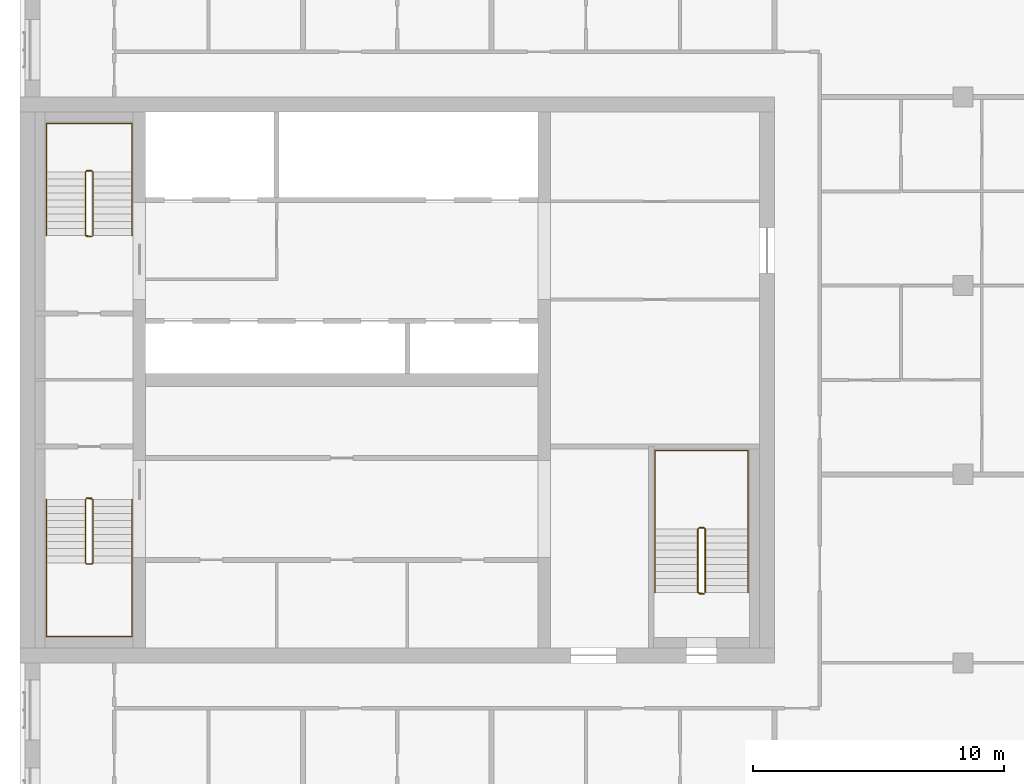
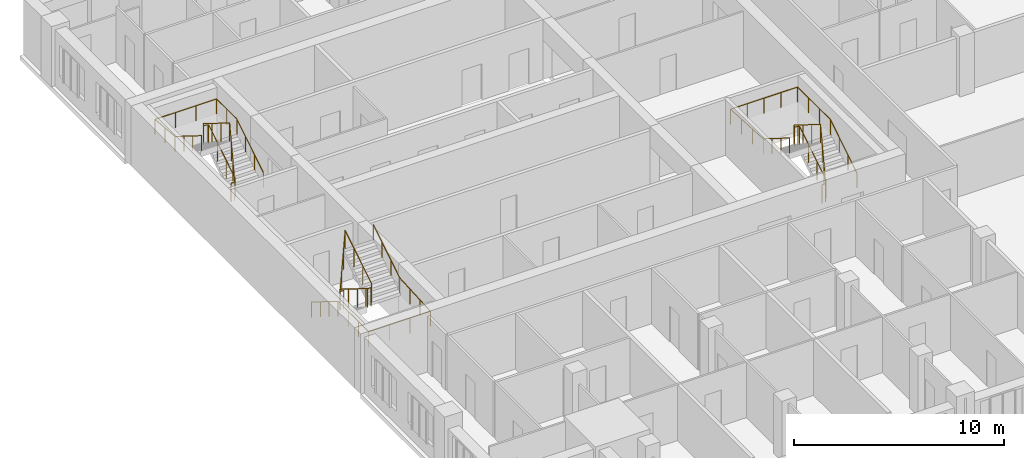
# One storey, part 10 of 10: 6 railings.
"""IFC4 building model written with IfcOpenShell, lengths in metres."""

from ifc_helpers import new_model, si_unit, direction, frame, origin, origin_2d, place, context, subcontext, project, spatial, circle, extrude, material, type_object, element, save


model = new_model("IFC4")

# Units and contexts
model_context = context("Model", 3, precision=1e-05, world=origin(), true_north=direction((0.0, 1.0)))
body_context = subcontext(model_context, "Body", "Model", "MODEL_VIEW")
ifc_project = project(units=[si_unit("LENGTHUNIT", "METRE"), si_unit("AREAUNIT", "SQUARE_METRE"), si_unit("VOLUMEUNIT", "CUBIC_METRE"), si_unit("PLANEANGLEUNIT", "RADIAN"), si_unit("MASSUNIT", "GRAM", prefix="KILO")], contexts=[model_context])

# Site, building, storey
site_placement = place(None, origin())
site = spatial("IfcSite", under=ifc_project, at=site_placement, CompositionType="ELEMENT")
building_placement = place(site_placement, origin())
building = spatial("IfcBuilding", under=site, at=building_placement, Name="Tamorin Gate", CompositionType="ELEMENT")
storey_placement = place(building_placement, frame((0.0, 0.0, 237.199951171875)))
storey = spatial("IfcBuildingStorey", under=building, at=storey_placement, Name="L59", CompositionType="ELEMENT", Elevation=237.199951171875)

# Railings
ifc_material_1 = material(Name="Painted steel balustrade", Category="steel")
railing_type_1 = type_object("IfcRailingType", Name="Stair guard 1100", PredefinedType="GUARDRAIL", material=ifc_material_1)
railing_1_placement = place(storey_placement, frame((32.60009765625, 66.5, 0.175048828125)))
element("IfcRailing", 1, at=railing_1_placement, inside=storey, type_object=railing_type_1, Name="L59 ST1 stair guard 1", PredefinedType="GUARDRAIL", context=body_context, shape_type="SweptSolid", body=[
    extrude(circle(Radius=0.02392578125, at=origin_2d()), frame((0.0, 0.0, 1.076171875), z_axis=(0.0, -0.848007534815, 0.529984170421), x_axis=(1.0, 0.0, 0.0)), (0.0, 0.0, 1.0), 2.9716796875),
    extrude(circle(Radius=0.02392578125, at=origin_2d()), frame((0.0, -2.52001953125, 2.65087890625), z_axis=(0.705375805398, -0.708833529934, 0.0), x_axis=(0.708833529934, 0.705375805398, 0.0)), (0.0, 0.0, 1.0), 0.070556640625),
    extrude(circle(Radius=0.02392578125, at=origin_2d()), frame((0.0498046875, -2.570068359375, 2.65087890625), z_axis=(1.0, 0.0, 0.0), x_axis=(0.0, 1.0, 0.0)), (0.0, 0.0, 1.0), 0.2001953125),
    extrude(circle(Radius=0.02392578125, at=origin_2d()), frame((0.25, -2.570068359375, 2.65087890625), z_axis=(0.263862480399, 0.265155923931, 0.927399011991), x_axis=(-0.708833529934, 0.705375805398, 0.0)), (0.0, 0.0, 1.0), 0.188720703125),
    extrude(circle(Radius=0.02392578125, at=origin_2d()), frame((0.2998046875, -2.52001953125, 2.826171875), z_axis=(0.0, 0.848007534815, 0.529984170421), x_axis=(-1.0, 0.0, 0.0)), (0.0, 0.0, 1.0), 2.9716796875),
    extrude(circle(Radius=0.02392578125, at=origin_2d()), frame((0.2998046875, 0.0, 4.40087890625), z_axis=(-0.071239803756, 0.014261874775, -0.997357252587), x_axis=(-0.196300278283, -0.98054382908, 0.0)), (0.0, 0.0, 1.0), 3.50927734375),
    extrude(circle(Radius=0.02392578125, at=origin_2d()), frame((0.0498046875, 0.050048828125, 0.90087890625), z_axis=(1.0, 0.0, 0.0), x_axis=(0.0, 1.0, 0.0)), (0.0, 0.0, 1.0), 0.2001953125),
    extrude(circle(Radius=0.02099609375, at=origin_2d()), origin(), (0.0, 0.0, 1.0), 1.052001953125),
    extrude(circle(Radius=0.02099609375, at=origin_2d()), frame((0.0, -0.840087890625, 0.52490234375)), (0.0, 0.0, 1.0), 1.052001953125),
    extrude(circle(Radius=0.02099609375, at=origin_2d()), frame((0.0, -1.679931640625, 1.050048828125)), (0.0, 0.0, 1.0), 1.052001953125),
    extrude(circle(Radius=0.02099609375, at=origin_2d()), frame((0.0, -2.52001953125, 1.574951171875)), (0.0, 0.0, 1.0), 1.052001953125),
    extrude(circle(Radius=0.02099609375, at=origin_2d()), frame((0.0498046875, -2.570068359375, 1.574951171875)), (0.0, 0.0, 1.0), 1.052001953125),
    extrude(circle(Radius=0.02099609375, at=origin_2d()), frame((0.25, -2.570068359375, 1.574951171875)), (0.0, 0.0, 1.0), 1.052001953125),
    extrude(circle(Radius=0.02099609375, at=origin_2d()), frame((0.2998046875, -2.52001953125, 1.75)), (0.0, 0.0, 1.0), 1.052001953125),
    extrude(circle(Radius=0.02099609375, at=origin_2d()), frame((0.2998046875, -1.679931640625, 2.27490234375)), (0.0, 0.0, 1.0), 1.052001953125),
    extrude(circle(Radius=0.02099609375, at=origin_2d()), frame((0.2998046875, -0.840087890625, 2.800048828125)), (0.0, 0.0, 1.0), 1.052001953125),
    extrude(circle(Radius=0.02099609375, at=origin_2d()), frame((0.2998046875, 0.0, 3.324951171875)), (0.0, 0.0, 1.0), 1.052001953125),
    extrude(circle(Radius=0.02099609375, at=origin_2d()), frame((0.216552734375, 0.0166015625, 2.158203125)), (0.0, 0.0, 1.0), 1.052001953125),
    extrude(circle(Radius=0.02099609375, at=origin_2d()), frame((0.133056640625, 0.033447265625, 0.99169921875)), (0.0, 0.0, 1.0), 1.052001953125),
    extrude(circle(Radius=0.02099609375, at=origin_2d()), frame((0.0498046875, 0.050048828125, -0.175048828125)), (0.0, 0.0, 1.0), 1.052001953125),
    extrude(circle(Radius=0.02099609375, at=origin_2d()), frame((0.25, 0.050048828125, -0.175048828125)), (0.0, 0.0, 1.0), 1.052001953125),
])
railing_2_placement = place(storey_placement, frame((32.89990234375, 77.0, 0.175048828125)))
element("IfcRailing", 2, at=railing_2_placement, inside=storey, type_object=railing_type_1, Name="L59 ST2 stair guard 1", PredefinedType="GUARDRAIL", context=body_context, shape_type="SweptSolid", body=[
    extrude(circle(Radius=0.02392578125, at=origin_2d()), frame((0.0, 0.0, 1.076171875), z_axis=(0.0, 0.848007534815, 0.529984170421), x_axis=(-1.0, 0.0, 0.0)), (0.0, 0.0, 1.0), 2.9716796875),
    extrude(circle(Radius=0.02392578125, at=origin_2d()), frame((0.0, 2.52001953125, 2.65087890625), z_axis=(-0.705375805398, 0.708833529934, 0.0), x_axis=(-0.708833529934, -0.705375805398, 0.0)), (0.0, 0.0, 1.0), 0.070556640625),
    extrude(circle(Radius=0.02392578125, at=origin_2d()), frame((-0.0498046875, 2.570068359375, 2.65087890625), z_axis=(-1.0, 0.0, 0.0), x_axis=(0.0, -1.0, 0.0)), (0.0, 0.0, 1.0), 0.2001953125),
    extrude(circle(Radius=0.02392578125, at=origin_2d()), frame((-0.25, 2.570068359375, 2.65087890625), z_axis=(-0.263862480399, -0.265155923931, 0.927399011991), x_axis=(0.708833529934, -0.705375805398, 0.0)), (0.0, 0.0, 1.0), 0.188720703125),
    extrude(circle(Radius=0.02392578125, at=origin_2d()), frame((-0.2998046875, 2.52001953125, 2.826171875), z_axis=(0.0, -0.848007534815, 0.529984170421), x_axis=(1.0, 0.0, 0.0)), (0.0, 0.0, 1.0), 2.9716796875),
    extrude(circle(Radius=0.02392578125, at=origin_2d()), frame((-0.2998046875, 0.0, 4.40087890625), z_axis=(0.071239803756, -0.014261874775, -0.997357252587), x_axis=(0.196300278283, 0.98054382908, 0.0)), (0.0, 0.0, 1.0), 3.50927734375),
    extrude(circle(Radius=0.02392578125, at=origin_2d()), frame((-0.0498046875, -0.050048828125, 0.90087890625), z_axis=(-1.0, 0.0, 0.0), x_axis=(0.0, -1.0, 0.0)), (0.0, 0.0, 1.0), 0.2001953125),
    extrude(circle(Radius=0.02099609375, at=origin_2d()), origin(), (0.0, 0.0, 1.0), 1.052001953125),
    extrude(circle(Radius=0.02099609375, at=origin_2d()), frame((0.0, 0.840087890625, 0.52490234375)), (0.0, 0.0, 1.0), 1.052001953125),
    extrude(circle(Radius=0.02099609375, at=origin_2d()), frame((0.0, 1.679931640625, 1.050048828125)), (0.0, 0.0, 1.0), 1.052001953125),
    extrude(circle(Radius=0.02099609375, at=origin_2d()), frame((0.0, 2.52001953125, 1.574951171875)), (0.0, 0.0, 1.0), 1.052001953125),
    extrude(circle(Radius=0.02099609375, at=origin_2d()), frame((-0.0498046875, 2.570068359375, 1.574951171875)), (0.0, 0.0, 1.0), 1.052001953125),
    extrude(circle(Radius=0.02099609375, at=origin_2d()), frame((-0.25, 2.570068359375, 1.574951171875)), (0.0, 0.0, 1.0), 1.052001953125),
    extrude(circle(Radius=0.02099609375, at=origin_2d()), frame((-0.2998046875, 2.52001953125, 1.75)), (0.0, 0.0, 1.0), 1.052001953125),
    extrude(circle(Radius=0.02099609375, at=origin_2d()), frame((-0.2998046875, 1.679931640625, 2.27490234375)), (0.0, 0.0, 1.0), 1.052001953125),
    extrude(circle(Radius=0.02099609375, at=origin_2d()), frame((-0.2998046875, 0.840087890625, 2.800048828125)), (0.0, 0.0, 1.0), 1.052001953125),
    extrude(circle(Radius=0.02099609375, at=origin_2d()), frame((-0.2998046875, 0.0, 3.324951171875)), (0.0, 0.0, 1.0), 1.052001953125),
    extrude(circle(Radius=0.02099609375, at=origin_2d()), frame((-0.216552734375, -0.0166015625, 2.158203125)), (0.0, 0.0, 1.0), 1.052001953125),
    extrude(circle(Radius=0.02099609375, at=origin_2d()), frame((-0.133056640625, -0.033447265625, 0.99169921875)), (0.0, 0.0, 1.0), 1.052001953125),
    extrude(circle(Radius=0.02099609375, at=origin_2d()), frame((-0.0498046875, -0.050048828125, -0.175048828125)), (0.0, 0.0, 1.0), 1.052001953125),
    extrude(circle(Radius=0.02099609375, at=origin_2d()), frame((-0.25, -0.050048828125, -0.175048828125)), (0.0, 0.0, 1.0), 1.052001953125),
])
railing_3_placement = place(storey_placement, frame((57.25, 62.800048828125, 0.175048828125)))
element("IfcRailing", 3, at=railing_3_placement, inside=storey, type_object=railing_type_1, Name="L59 ST3 stair guard 1", PredefinedType="GUARDRAIL", context=body_context, shape_type="SweptSolid", body=[
    extrude(circle(Radius=0.02392578125, at=origin_2d()), frame((0.0, 0.0, 1.076171875), z_axis=(0.0, 0.848007534815, 0.529984170421), x_axis=(-1.0, 0.0, 0.0)), (0.0, 0.0, 1.0), 2.9716796875),
    extrude(circle(Radius=0.02392578125, at=origin_2d()), frame((0.0, 2.52001953125, 2.65087890625), z_axis=(-0.707106781187, 0.707106781187, 0.0), x_axis=(-0.707106781187, -0.707106781187, 0.0)), (0.0, 0.0, 1.0), 0.07080078125),
    extrude(circle(Radius=0.02392578125, at=origin_2d()), frame((-0.050048828125, 2.570068359375, 2.65087890625), z_axis=(-1.0, 0.0, 0.0), x_axis=(0.0, -1.0, 0.0)), (0.0, 0.0, 1.0), 0.199951171875),
    extrude(circle(Radius=0.02392578125, at=origin_2d()), frame((-0.25, 2.570068359375, 2.65087890625), z_axis=(-0.265065253269, -0.265065253269, 0.927081885822), x_axis=(0.707106781187, -0.707106781187, 0.0)), (0.0, 0.0, 1.0), 0.188720703125),
    extrude(circle(Radius=0.02392578125, at=origin_2d()), frame((-0.300048828125, 2.52001953125, 2.826171875), z_axis=(0.0, -0.848007534815, 0.529984170421), x_axis=(1.0, 0.0, 0.0)), (0.0, 0.0, 1.0), 2.9716796875),
    extrude(circle(Radius=0.02392578125, at=origin_2d()), frame((-0.300048828125, 0.0, 4.40087890625), z_axis=(0.071239803756, -0.014261874775, -0.997357252587), x_axis=(0.196300278283, 0.98054382908, 0.0)), (0.0, 0.0, 1.0), 3.50927734375),
    extrude(circle(Radius=0.02392578125, at=origin_2d()), frame((-0.050048828125, -0.050048828125, 0.90087890625), z_axis=(-1.0, 0.0, 0.0), x_axis=(0.0, -1.0, 0.0)), (0.0, 0.0, 1.0), 0.199951171875),
    extrude(circle(Radius=0.02099609375, at=origin_2d()), origin(), (0.0, 0.0, 1.0), 1.052001953125),
    extrude(circle(Radius=0.02099609375, at=origin_2d()), frame((0.0, 0.840087890625, 0.52490234375)), (0.0, 0.0, 1.0), 1.052001953125),
    extrude(circle(Radius=0.02099609375, at=origin_2d()), frame((0.0, 1.679931640625, 1.050048828125)), (0.0, 0.0, 1.0), 1.052001953125),
    extrude(circle(Radius=0.02099609375, at=origin_2d()), frame((0.0, 2.52001953125, 1.574951171875)), (0.0, 0.0, 1.0), 1.052001953125),
    extrude(circle(Radius=0.02099609375, at=origin_2d()), frame((-0.050048828125, 2.570068359375, 1.574951171875)), (0.0, 0.0, 1.0), 1.052001953125),
    extrude(circle(Radius=0.02099609375, at=origin_2d()), frame((-0.25, 2.570068359375, 1.574951171875)), (0.0, 0.0, 1.0), 1.052001953125),
    extrude(circle(Radius=0.02099609375, at=origin_2d()), frame((-0.300048828125, 2.52001953125, 1.75)), (0.0, 0.0, 1.0), 1.052001953125),
    extrude(circle(Radius=0.02099609375, at=origin_2d()), frame((-0.300048828125, 1.679931640625, 2.27490234375)), (0.0, 0.0, 1.0), 1.052001953125),
    extrude(circle(Radius=0.02099609375, at=origin_2d()), frame((-0.300048828125, 0.840087890625, 2.800048828125)), (0.0, 0.0, 1.0), 1.052001953125),
    extrude(circle(Radius=0.02099609375, at=origin_2d()), frame((-0.300048828125, 0.0, 3.324951171875)), (0.0, 0.0, 1.0), 1.052001953125),
    extrude(circle(Radius=0.02099609375, at=origin_2d()), frame((-0.216796875, -0.0166015625, 2.158203125)), (0.0, 0.0, 1.0), 1.052001953125),
    extrude(circle(Radius=0.02099609375, at=origin_2d()), frame((-0.13330078125, -0.033447265625, 0.99169921875)), (0.0, 0.0, 1.0), 1.052001953125),
    extrude(circle(Radius=0.02099609375, at=origin_2d()), frame((-0.050048828125, -0.050048828125, -0.175048828125)), (0.0, 0.0, 1.0), 1.052001953125),
    extrude(circle(Radius=0.02099609375, at=origin_2d()), frame((-0.25, -0.050048828125, -0.175048828125)), (0.0, 0.0, 1.0), 1.052001953125),
])
ifc_material_2 = material(Name="Painted steel handrail", Category="steel")
railing_type_2 = type_object("IfcRailingType", Name="Stair handrail 900", PredefinedType="HANDRAIL", material=ifc_material_2)
railing_4_placement = place(storey_placement, frame((31.050048828125, 66.5, 0.175048828125)))
element("IfcRailing", 4, at=railing_4_placement, inside=storey, type_object=railing_type_2, Name="L59 ST1 stair handrail 1", PredefinedType="HANDRAIL", context=body_context, shape_type="SweptSolid", body=[
    extrude(circle(Radius=0.02392578125, at=origin_2d()), frame((0.0, 0.0, 0.8759765625), z_axis=(0.0, -0.848007534815, 0.529984170421), x_axis=(1.0, 0.0, 0.0)), (0.0, 0.0, 1.0), 2.9716796875),
    extrude(circle(Radius=0.02392578125, at=origin_2d()), frame((0.0, -2.52001953125, 2.45068359375), z_axis=(0.0, -1.0, 0.0), x_axis=(1.0, 0.0, 0.0)), (0.0, 0.0, 1.0), 2.929931640625),
    extrude(circle(Radius=0.02392578125, at=origin_2d()), frame((0.0, -5.449951171875, 2.45068359375), z_axis=(1.0, 0.0, 0.0), x_axis=(0.0, 1.0, 0.0)), (0.0, 0.0, 1.0), 3.39990234375),
    extrude(circle(Radius=0.02392578125, at=origin_2d()), frame((3.39990234375, -5.449951171875, 2.45068359375), z_axis=(0.0, 0.998220029962, 0.0596386769), x_axis=(-1.0, 0.0, 0.0)), (0.0, 0.0, 1.0), 2.93505859375),
    extrude(circle(Radius=0.02392578125, at=origin_2d()), frame((3.39990234375, -2.52001953125, 2.6259765625), z_axis=(0.0, 0.848007534815, 0.529984170421), x_axis=(-1.0, 0.0, 0.0)), (0.0, 0.0, 1.0), 2.9716796875),
    extrude(circle(Radius=0.02099609375, at=origin_2d()), origin(), (0.0, 0.0, 1.0), 0.851806640625),
    extrude(circle(Radius=0.02099609375, at=origin_2d()), frame((0.0, -0.840087890625, 0.52490234375)), (0.0, 0.0, 1.0), 0.851806640625),
    extrude(circle(Radius=0.02099609375, at=origin_2d()), frame((0.0, -1.679931640625, 1.050048828125)), (0.0, 0.0, 1.0), 0.851806640625),
    extrude(circle(Radius=0.02099609375, at=origin_2d()), frame((0.0, -2.52001953125, 1.574951171875)), (0.0, 0.0, 1.0), 0.851806640625),
    extrude(circle(Radius=0.02099609375, at=origin_2d()), frame((0.0, -3.49658203125, 1.574951171875)), (0.0, 0.0, 1.0), 0.851806640625),
    extrude(circle(Radius=0.02099609375, at=origin_2d()), frame((0.0, -4.473388671875, 1.574951171875)), (0.0, 0.0, 1.0), 0.851806640625),
    extrude(circle(Radius=0.02099609375, at=origin_2d()), frame((0.0, -5.449951171875, 1.574951171875)), (0.0, 0.0, 1.0), 0.851806640625),
    extrude(circle(Radius=0.02099609375, at=origin_2d()), frame((1.13330078125, -5.449951171875, 1.574951171875)), (0.0, 0.0, 1.0), 0.851806640625),
    extrude(circle(Radius=0.02099609375, at=origin_2d()), frame((2.2666015625, -5.449951171875, 1.574951171875)), (0.0, 0.0, 1.0), 0.851806640625),
    extrude(circle(Radius=0.02099609375, at=origin_2d()), frame((3.39990234375, -5.449951171875, 1.574951171875)), (0.0, 0.0, 1.0), 0.851806640625),
    extrude(circle(Radius=0.02099609375, at=origin_2d()), frame((3.39990234375, -4.473388671875, 1.63330078125)), (0.0, 0.0, 1.0), 0.851806640625),
    extrude(circle(Radius=0.02099609375, at=origin_2d()), frame((3.39990234375, -3.49658203125, 1.691650390625)), (0.0, 0.0, 1.0), 0.851806640625),
    extrude(circle(Radius=0.02099609375, at=origin_2d()), frame((3.39990234375, -2.52001953125, 1.75)), (0.0, 0.0, 1.0), 0.851806640625),
    extrude(circle(Radius=0.02099609375, at=origin_2d()), frame((3.39990234375, -1.679931640625, 2.27490234375)), (0.0, 0.0, 1.0), 0.851806640625),
    extrude(circle(Radius=0.02099609375, at=origin_2d()), frame((3.39990234375, -0.840087890625, 2.800048828125)), (0.0, 0.0, 1.0), 0.851806640625),
    extrude(circle(Radius=0.02099609375, at=origin_2d()), frame((3.39990234375, 0.0, 3.324951171875)), (0.0, 0.0, 1.0), 0.851806640625),
])
railing_5_placement = place(storey_placement, frame((34.449951171875, 77.0, 0.175048828125)))
element("IfcRailing", 5, at=railing_5_placement, inside=storey, type_object=railing_type_2, Name="L59 ST2 stair handrail 1", PredefinedType="HANDRAIL", context=body_context, shape_type="SweptSolid", body=[
    extrude(circle(Radius=0.02392578125, at=origin_2d()), frame((0.0, 0.0, 0.8759765625), z_axis=(0.0, 0.848007534815, 0.529984170421), x_axis=(-1.0, 0.0, 0.0)), (0.0, 0.0, 1.0), 2.9716796875),
    extrude(circle(Radius=0.02392578125, at=origin_2d()), frame((0.0, 2.52001953125, 2.45068359375), z_axis=(0.0, 1.0, 0.0), x_axis=(-1.0, 0.0, 0.0)), (0.0, 0.0, 1.0), 1.929931640625),
    extrude(circle(Radius=0.02392578125, at=origin_2d()), frame((0.0, 4.449951171875, 2.45068359375), z_axis=(-1.0, 0.0, 0.0), x_axis=(0.0, -1.0, 0.0)), (0.0, 0.0, 1.0), 3.39990234375),
    extrude(circle(Radius=0.02392578125, at=origin_2d()), frame((-3.39990234375, 4.449951171875, 2.45068359375), z_axis=(0.0, -0.995911773435, 0.090331276604), x_axis=(1.0, 0.0, 0.0)), (0.0, 0.0, 1.0), 1.937744140625),
    extrude(circle(Radius=0.02392578125, at=origin_2d()), frame((-3.39990234375, 2.52001953125, 2.6259765625), z_axis=(0.0, -0.848007534815, 0.529984170421), x_axis=(1.0, 0.0, 0.0)), (0.0, 0.0, 1.0), 2.9716796875),
    extrude(circle(Radius=0.02099609375, at=origin_2d()), origin(), (0.0, 0.0, 1.0), 0.851806640625),
    extrude(circle(Radius=0.02099609375, at=origin_2d()), frame((0.0, 0.840087890625, 0.52490234375)), (0.0, 0.0, 1.0), 0.851806640625),
    extrude(circle(Radius=0.02099609375, at=origin_2d()), frame((0.0, 1.679931640625, 1.050048828125)), (0.0, 0.0, 1.0), 0.851806640625),
    extrude(circle(Radius=0.02099609375, at=origin_2d()), frame((0.0, 2.52001953125, 1.574951171875)), (0.0, 0.0, 1.0), 0.851806640625),
    extrude(circle(Radius=0.02099609375, at=origin_2d()), frame((0.0, 3.48486328125, 1.574951171875)), (0.0, 0.0, 1.0), 0.851806640625),
    extrude(circle(Radius=0.02099609375, at=origin_2d()), frame((0.0, 4.449951171875, 1.574951171875)), (0.0, 0.0, 1.0), 0.851806640625),
    extrude(circle(Radius=0.02099609375, at=origin_2d()), frame((-1.13330078125, 4.449951171875, 1.574951171875)), (0.0, 0.0, 1.0), 0.851806640625),
    extrude(circle(Radius=0.02099609375, at=origin_2d()), frame((-2.2666015625, 4.449951171875, 1.574951171875)), (0.0, 0.0, 1.0), 0.851806640625),
    extrude(circle(Radius=0.02099609375, at=origin_2d()), frame((-3.39990234375, 4.449951171875, 1.574951171875)), (0.0, 0.0, 1.0), 0.851806640625),
    extrude(circle(Radius=0.02099609375, at=origin_2d()), frame((-3.39990234375, 3.48486328125, 1.66259765625)), (0.0, 0.0, 1.0), 0.851806640625),
    extrude(circle(Radius=0.02099609375, at=origin_2d()), frame((-3.39990234375, 2.52001953125, 1.75)), (0.0, 0.0, 1.0), 0.851806640625),
    extrude(circle(Radius=0.02099609375, at=origin_2d()), frame((-3.39990234375, 1.679931640625, 2.27490234375)), (0.0, 0.0, 1.0), 0.851806640625),
    extrude(circle(Radius=0.02099609375, at=origin_2d()), frame((-3.39990234375, 0.840087890625, 2.800048828125)), (0.0, 0.0, 1.0), 0.851806640625),
    extrude(circle(Radius=0.02099609375, at=origin_2d()), frame((-3.39990234375, 0.0, 3.324951171875)), (0.0, 0.0, 1.0), 0.851806640625),
])
railing_6_placement = place(storey_placement, frame((58.949951171875, 62.800048828125, 0.175048828125)))
element("IfcRailing", 6, at=railing_6_placement, inside=storey, type_object=railing_type_2, Name="L59 ST3 stair handrail 1", PredefinedType="HANDRAIL", context=body_context, shape_type="SweptSolid", body=[
    extrude(circle(Radius=0.02392578125, at=origin_2d()), frame((0.0, 0.0, 0.8759765625), z_axis=(0.0, 0.848007534815, 0.529984170421), x_axis=(-1.0, 0.0, 0.0)), (0.0, 0.0, 1.0), 2.9716796875),
    extrude(circle(Radius=0.02392578125, at=origin_2d()), frame((0.0, 2.52001953125, 2.45068359375), z_axis=(0.0, 1.0, 0.0), x_axis=(-1.0, 0.0, 0.0)), (0.0, 0.0, 1.0), 3.1298828125),
    extrude(circle(Radius=0.02392578125, at=origin_2d()), frame((0.0, 5.64990234375, 2.45068359375), z_axis=(-1.0, 0.0, 0.0), x_axis=(0.0, -1.0, 0.0)), (0.0, 0.0, 1.0), 3.699951171875),
    extrude(circle(Radius=0.02392578125, at=origin_2d()), frame((-3.699951171875, 5.64990234375, 2.45068359375), z_axis=(0.0, -0.998439675676, 0.055840970941), x_axis=(1.0, 0.0, 0.0)), (0.0, 0.0, 1.0), 3.134765625),
    extrude(circle(Radius=0.02392578125, at=origin_2d()), frame((-3.699951171875, 2.52001953125, 2.6259765625), z_axis=(0.0, -0.848007534815, 0.529984170421), x_axis=(1.0, 0.0, 0.0)), (0.0, 0.0, 1.0), 2.9716796875),
    extrude(circle(Radius=0.02099609375, at=origin_2d()), origin(), (0.0, 0.0, 1.0), 0.851806640625),
    extrude(circle(Radius=0.02099609375, at=origin_2d()), frame((0.0, 0.840087890625, 0.52490234375)), (0.0, 0.0, 1.0), 0.851806640625),
    extrude(circle(Radius=0.02099609375, at=origin_2d()), frame((0.0, 1.679931640625, 1.050048828125)), (0.0, 0.0, 1.0), 0.851806640625),
    extrude(circle(Radius=0.02099609375, at=origin_2d()), frame((0.0, 2.52001953125, 1.574951171875)), (0.0, 0.0, 1.0), 0.851806640625),
    extrude(circle(Radius=0.02099609375, at=origin_2d()), frame((0.0, 3.563232421875, 1.574951171875)), (0.0, 0.0, 1.0), 0.851806640625),
    extrude(circle(Radius=0.02099609375, at=origin_2d()), frame((0.0, 4.606689453125, 1.574951171875)), (0.0, 0.0, 1.0), 0.851806640625),
    extrude(circle(Radius=0.02099609375, at=origin_2d()), frame((0.0, 5.64990234375, 1.574951171875)), (0.0, 0.0, 1.0), 0.851806640625),
    extrude(circle(Radius=0.02099609375, at=origin_2d()), frame((-0.925048828125, 5.64990234375, 1.574951171875)), (0.0, 0.0, 1.0), 0.851806640625),
    extrude(circle(Radius=0.02099609375, at=origin_2d()), frame((-1.85009765625, 5.64990234375, 1.574951171875)), (0.0, 0.0, 1.0), 0.851806640625),
    extrude(circle(Radius=0.02099609375, at=origin_2d()), frame((-2.77490234375, 5.64990234375, 1.574951171875)), (0.0, 0.0, 1.0), 0.851806640625),
    extrude(circle(Radius=0.02099609375, at=origin_2d()), frame((-3.699951171875, 5.64990234375, 1.574951171875)), (0.0, 0.0, 1.0), 0.851806640625),
    extrude(circle(Radius=0.02099609375, at=origin_2d()), frame((-3.699951171875, 4.606689453125, 1.63330078125)), (0.0, 0.0, 1.0), 0.851806640625),
    extrude(circle(Radius=0.02099609375, at=origin_2d()), frame((-3.699951171875, 3.563232421875, 1.691650390625)), (0.0, 0.0, 1.0), 0.851806640625),
    extrude(circle(Radius=0.02099609375, at=origin_2d()), frame((-3.699951171875, 2.52001953125, 1.75)), (0.0, 0.0, 1.0), 0.851806640625),
    extrude(circle(Radius=0.02099609375, at=origin_2d()), frame((-3.699951171875, 1.679931640625, 2.27490234375)), (0.0, 0.0, 1.0), 0.851806640625),
    extrude(circle(Radius=0.02099609375, at=origin_2d()), frame((-3.699951171875, 0.840087890625, 2.800048828125)), (0.0, 0.0, 1.0), 0.851806640625),
    extrude(circle(Radius=0.02099609375, at=origin_2d()), frame((-3.699951171875, 0.0, 3.324951171875)), (0.0, 0.0, 1.0), 0.851806640625),
])

save(model, "model.ifc")
